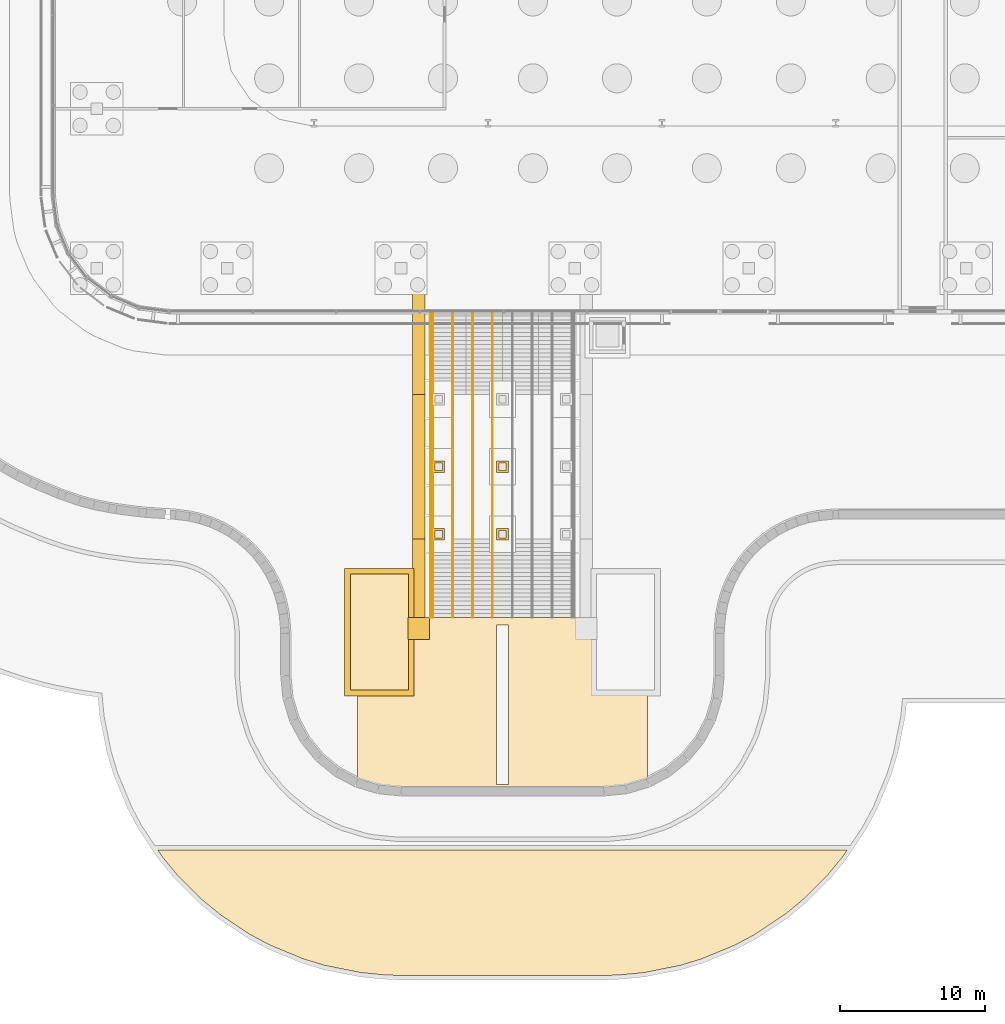
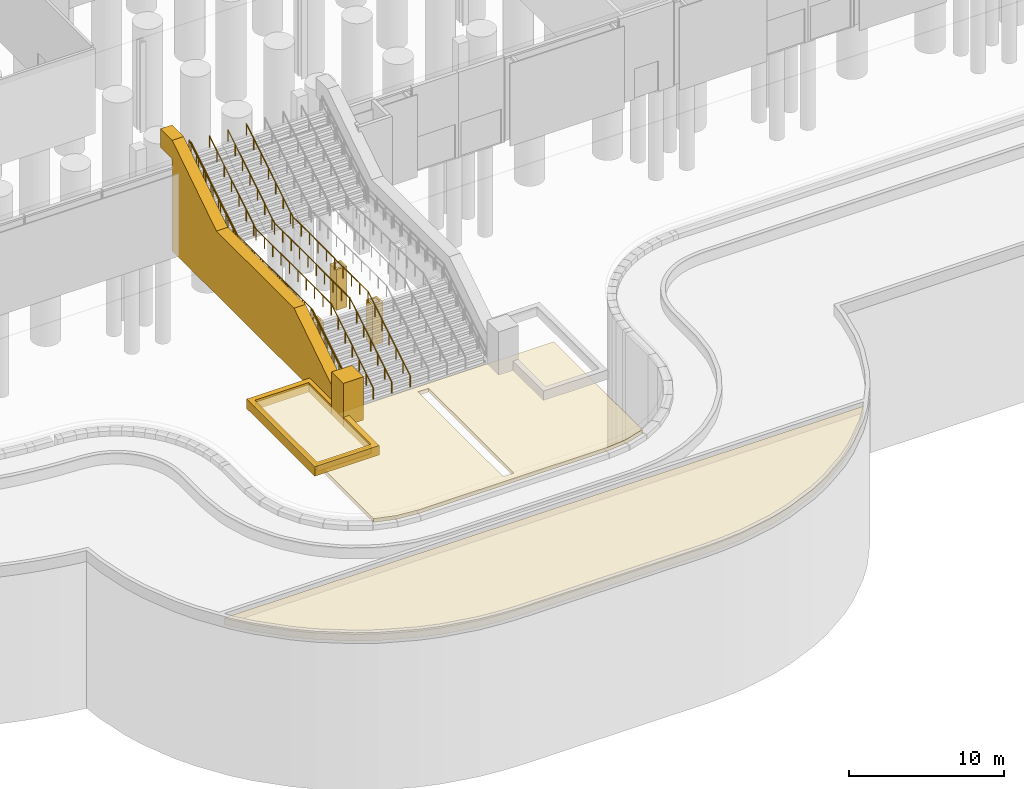
# One storey, part 36 of 48: 10 coverings, 5 railings, 1 element without a shape of its own.
"""IFC4 building model written with IfcOpenShell, lengths in metres."""

from ifc_helpers import new_model, si_unit, direction, frame, origin, origin_2d, place, context, subcontext, project, spatial, polyline, rectangle, circle, outline, extrude, material, layer, layer_set, type_object, element, aggregate, save


model = new_model("IFC4")

# Units and contexts
model_context = context("Model", 3, precision=1e-05, world=origin(), true_north=direction((0.0, 1.0)))
body_context = subcontext(model_context, "Body", "Model", "MODEL_VIEW")
ifc_project = project(units=[si_unit("LENGTHUNIT", "METRE"), si_unit("AREAUNIT", "SQUARE_METRE"), si_unit("VOLUMEUNIT", "CUBIC_METRE"), si_unit("PLANEANGLEUNIT", "RADIAN"), si_unit("MASSUNIT", "GRAM", prefix="KILO")], contexts=[model_context])

# Site, building, storey
site_placement = place(None, origin())
site = spatial("IfcSite", under=ifc_project, at=site_placement, CompositionType="ELEMENT")
building_placement = place(site_placement, origin())
building = spatial("IfcBuilding", under=site, at=building_placement, Name="Mahtab Terrace Research Tower", CompositionType="ELEMENT")
storey_placement = place(building_placement, origin())
storey = spatial("IfcBuildingStorey", under=building, at=storey_placement, Name="G", CompositionType="ELEMENT", Elevation=0.0)

# Coverings
ifc_material_1 = material(Name="Glazed ceramic tile cladding", Category="masonry")
ifc_layer_1 = layer(ifc_material_1, 0.14990234375)
ifc_layer_set_1 = layer_set([ifc_layer_1], Name="Column sleeve cladding 150")
covering_type_1 = type_object("IfcCoveringType", Name="Column sleeve cladding 150", PredefinedType="CLADDING", material=ifc_layer_set_1)
covering_1_placement = place(storey_placement, origin())
element("IfcCovering", 1, at=covering_1_placement, inside=storey, type_object=covering_type_1, Name="Column sleeve PS1-1-1", PredefinedType="CLADDING", context=body_context, shape_type="SweptSolid", body=[
    extrude(outline(polyline([(-33.800048828125, -51.75), (-33.0, -51.75), (-33.0, -50.949951171875), (-33.800048828125, -50.949951171875), (-33.800048828125, -51.75)]), holes=[polyline([(-33.64990234375, -51.60009765625), (-33.14990234375, -51.60009765625), (-33.14990234375, -51.10009765625), (-33.64990234375, -51.10009765625), (-33.64990234375, -51.60009765625)])]), origin(), (0.0, 0.0, 1.0), 3.2119140625),
])
covering_2_placement = place(storey_placement, origin())
element("IfcCovering", 2, at=covering_2_placement, inside=storey, type_object=covering_type_1, Name="Column sleeve PS1-1-2", PredefinedType="CLADDING", context=body_context, shape_type="SweptSolid", body=[
    extrude(outline(polyline([(-33.800048828125, -47.10009765625), (-33.0, -47.10009765625), (-33.0, -46.300048828125), (-33.800048828125, -46.300048828125), (-33.800048828125, -47.10009765625)]), holes=[polyline([(-33.64990234375, -46.949951171875), (-33.14990234375, -46.949951171875), (-33.14990234375, -46.449951171875), (-33.64990234375, -46.449951171875), (-33.64990234375, -46.949951171875)])]), origin(), (0.0, 0.0, 1.0), 3.2119140625),
])
covering_3_placement = place(storey_placement, origin())
element("IfcCovering", 3, at=covering_3_placement, inside=storey, type_object=covering_type_1, Name="Column sleeve PS1-2-1", PredefinedType="CLADDING", context=body_context, shape_type="SweptSolid", body=[
    extrude(outline(polyline([(-29.39990234375, -51.75), (-28.60009765625, -51.75), (-28.60009765625, -50.949951171875), (-29.39990234375, -50.949951171875), (-29.39990234375, -51.75)]), holes=[polyline([(-29.25, -51.60009765625), (-28.75, -51.60009765625), (-28.75, -51.10009765625), (-29.25, -51.10009765625), (-29.25, -51.60009765625)])]), origin(), (0.0, 0.0, 1.0), 3.2119140625),
])
covering_4_placement = place(storey_placement, origin())
element("IfcCovering", 4, at=covering_4_placement, inside=storey, type_object=covering_type_1, Name="Column sleeve PS1-2-2", PredefinedType="CLADDING", context=body_context, shape_type="SweptSolid", body=[
    extrude(outline(polyline([(-29.39990234375, -47.10009765625), (-28.60009765625, -47.10009765625), (-28.60009765625, -46.300048828125), (-29.39990234375, -46.300048828125), (-29.39990234375, -47.10009765625)]), holes=[polyline([(-29.25, -46.949951171875), (-28.75, -46.949951171875), (-28.75, -46.449951171875), (-29.25, -46.449951171875), (-29.25, -46.949951171875)])]), origin(), (0.0, 0.0, 1.0), 3.2119140625),
])
ifc_material_2 = material(Name="Planting soil and shrubs")
ifc_layer_2 = layer(ifc_material_2, 0.1201171875)
ifc_layer_set_2 = layer_set([ifc_layer_2], Name="Planter")
covering_type_2 = type_object("IfcCoveringType", Name="Planter", PredefinedType="USERDEFINED", material=ifc_layer_set_2)
covering_5_placement = place(storey_placement, frame((-37.5, -58.114990234375, -0.010009765625), z_axis=(0.0, 0.0, 1.0), x_axis=(1.0, 0.0, 0.0)))
element("IfcCovering", 5, at=covering_5_placement, inside=storey, type_object=covering_type_2, Name="PLANTER forecourt", ObjectType="PLANTER", PredefinedType="USERDEFINED", context=body_context, shape_type="SweptSolid", body=[
    extrude(rectangle(XDim=4.0, YDim=8.0, at=origin_2d()), origin(), (0.0, 0.0, 1.0), 0.60009765625),
])
ifc_material_3 = material(Name="Precast concrete C40/50", Category="concrete")
ifc_layer_3 = layer(ifc_material_3, 0.199951171875)
ifc_layer_set_3 = layer_set([ifc_layer_3], Name="Precast coping 400")
covering_type_3 = type_object("IfcCoveringType", Name="Precast coping 400", PredefinedType="MOLDING", material=ifc_layer_set_3)
covering_6_placement = place(storey_placement, frame((0.0, 0.0, -0.010009765625)))
element("IfcCovering", 6, at=covering_6_placement, inside=storey, type_object=covering_type_3, Name="Planter bed coping", PredefinedType="CLADDING", context=body_context, shape_type="SweptSolid", body=[
    extrude(outline(polyline([(-39.89990234375, -62.514892578125), (-39.89990234375, -53.715087890625), (-35.10009765625, -53.715087890625), (-35.10009765625, -62.514892578125), (-39.89990234375, -62.514892578125)]), holes=[polyline([(-35.5, -54.114990234375), (-39.5, -54.114990234375), (-39.5, -62.114990234375), (-35.5, -62.114990234375), (-35.5, -54.114990234375)])]), origin(), (0.0, 0.0, 1.0), 0.75),
])
ifc_material_4 = material(Name="Sandstone paving", Category="masonry")
ifc_layer_4 = layer(ifc_material_4, 0.300048828125)
ifc_layer_set_4 = layer_set([ifc_layer_4], Name="Sandstone forecourt paving 300")
covering_type_4 = type_object("IfcCoveringType", Name="Sandstone forecourt paving 300", PredefinedType="FLOORING", material=ifc_layer_set_4)
covering_7_placement = place(storey_placement, frame((0.0, 0.0, -0.31005859375)))
element("IfcCovering", 7, at=covering_7_placement, inside=storey, type_object=covering_type_4, Name="Stair forecourt paving 1.1", PredefinedType="FLOORING", context=body_context, shape_type="SweptSolid", body=[
    extrude(outline(polyline([(-19.0, -57.114990234375), (-19.0, -68.52490234375), (-20.43896484375, -68.9609375), (-22.0, -69.114990234375), (-36.0, -69.114990234375), (-37.56103515625, -68.9609375), (-39.0, -68.52490234375), (-39.0, -57.114990234375), (-19.0, -57.114990234375)]), holes=[polyline([(-28.60009765625, -57.614990234375), (-29.39990234375, -57.614990234375), (-29.39990234375, -68.614990234375), (-28.60009765625, -68.614990234375), (-28.60009765625, -57.614990234375)])]), origin(), (0.0, 0.0, 1.0), 0.300048828125),
])
ifc_layer_5 = layer(ifc_material_1, 0.85009765625)
ifc_layer_set_5 = layer_set([ifc_layer_5], Name="Stair cheek cladding 850")
covering_type_5 = type_object("IfcCoveringType", Name="Stair cheek cladding 850", PredefinedType="CLADDING", material=ifc_layer_set_5)
covering_8_placement = place(storey_placement, frame((-34.35009765625, -36.0, 0.0), z_axis=(1.0, 0.0, 0.0), x_axis=(0.0, 0.0, 1.0)))
element("IfcCovering", 8, at=covering_8_placement, inside=storey, type_object=covering_type_5, Name="Stair cheek PS1W", PredefinedType="CLADDING", context=body_context, shape_type="SweptSolid", body=[
    extrude(outline(polyline([(0.0, 0.0), (7.22998046875, 0.0), (7.22998046875, -1.5), (8.699951171875, -1.5), (8.699951171875, 0.0), (5.011962890625, 5.699951171875), (5.011962890625, 15.699951171875), (1.5, 21.114990234375), (0.0, 21.114990234375), (0.0, 0.0)])), origin(), (0.0, 0.0, -1.0), 0.85009765625),
])
covering_9_placement = place(storey_placement, frame((-34.77490234375, -57.864990234375, 0.0), z_axis=(0.0, 0.0, 1.0), x_axis=(1.0, 0.0, 0.0)))
element("IfcCovering", 9, at=covering_9_placement, inside=storey, type_object=covering_type_5, Name="Stair foot pier PS1W", PredefinedType="CLADDING", context=body_context, shape_type="SweptSolid", body=[
    extrude(rectangle(XDim=1.5, YDim=1.5, at=origin_2d()), origin(), (0.0, 0.0, 1.0), 3.39990234375),
])

# Stair, railings
ifc_material_5 = material(Name="Public deck stair")
stair_type = type_object("IfcStairType", Name="Public deck stair", PredefinedType="STRAIGHT_RUN_STAIR", material=ifc_material_5)
stair_placement = place(storey_placement, origin())
stair = element("IfcStair", 10, at=stair_placement, inside=storey, type_object=stair_type, Name="Public deck stair PS1", PredefinedType="STRAIGHT_RUN_STAIR")
ifc_material_6 = material(Name="Stainless steel AISI 304", Category="steel")
railing_type_1 = type_object("IfcRailingType", Name="Stair guard 1100", PredefinedType="GUARDRAIL", material=ifc_material_6)
railing_1_placement = place(storey_placement, frame((-33.949951171875, -57.114990234375, 0.175537109375)))
railing_1 = element("IfcRailing", 11, at=railing_1_placement, type_object=railing_type_1, Name="PS1 stair guard 1", PredefinedType="GUARDRAIL", context=body_context, shape_type="SweptSolid", body=[
    extrude(circle(Radius=0.02392578125, at=origin_2d()), frame((0.0, 0.0, 1.076171875), z_axis=(0.0, 0.851353738044, 0.524592044087), x_axis=(-1.0, 0.0, 0.0)), (0.0, 0.0, 1.0), 6.360595703125),
    extrude(circle(Radius=0.02392578125, at=origin_2d()), frame((0.0, 5.4150390625, 4.41259765625), z_axis=(0.0, 1.0, 0.0), x_axis=(-1.0, 0.0, 0.0)), (0.0, 0.0, 1.0), 9.699951171875),
    extrude(circle(Radius=0.02392578125, at=origin_2d()), frame((0.0, 15.114990234375, 4.41259765625), z_axis=(0.0, 0.863141399684, 0.504962299734), x_axis=(-1.0, 0.0, 0.0)), (0.0, 0.0, 1.0), 0.34765625),
    extrude(circle(Radius=0.02392578125, at=origin_2d()), frame((0.0, 15.4150390625, 4.58837890625), z_axis=(0.0, 0.851355183799, 0.524589697782), x_axis=(-1.0, 0.0, 0.0)), (0.0, 0.0, 1.0), 6.695068359375),
    extrude(circle(Radius=0.02099609375, at=origin_2d()), origin(), (0.0, 0.0, 1.0), 1.052001953125),
    extrude(circle(Radius=0.02099609375, at=origin_2d()), frame((0.0, 0.902587890625, 0.55615234375)), (0.0, 0.0, 1.0), 1.052001953125),
    extrude(circle(Radius=0.02099609375, at=origin_2d()), frame((0.0, 1.804931640625, 1.1123046875)), (0.0, 0.0, 1.0), 1.052001953125),
    extrude(circle(Radius=0.02099609375, at=origin_2d()), frame((0.0, 2.70751953125, 1.66845703125)), (0.0, 0.0, 1.0), 1.052001953125),
    extrude(circle(Radius=0.02099609375, at=origin_2d()), frame((0.0, 3.610107421875, 2.224365234375)), (0.0, 0.0, 1.0), 1.052001953125),
    extrude(circle(Radius=0.02099609375, at=origin_2d()), frame((0.0, 4.512451171875, 2.780517578125)), (0.0, 0.0, 1.0), 1.052001953125),
    extrude(circle(Radius=0.02099609375, at=origin_2d()), frame((0.0, 5.4150390625, 3.336669921875)), (0.0, 0.0, 1.0), 1.052001953125),
    extrude(circle(Radius=0.02099609375, at=origin_2d()), frame((0.0, 6.492919921875, 3.336669921875)), (0.0, 0.0, 1.0), 1.052001953125),
    extrude(circle(Radius=0.02099609375, at=origin_2d()), frame((0.0, 7.570556640625, 3.336669921875)), (0.0, 0.0, 1.0), 1.052001953125),
    extrude(circle(Radius=0.02099609375, at=origin_2d()), frame((0.0, 8.6484375, 3.336669921875)), (0.0, 0.0, 1.0), 1.052001953125),
    extrude(circle(Radius=0.02099609375, at=origin_2d()), frame((0.0, 9.72607421875, 3.336669921875)), (0.0, 0.0, 1.0), 1.052001953125),
    extrude(circle(Radius=0.02099609375, at=origin_2d()), frame((0.0, 10.803955078125, 3.336669921875)), (0.0, 0.0, 1.0), 1.052001953125),
    extrude(circle(Radius=0.02099609375, at=origin_2d()), frame((0.0, 11.881591796875, 3.336669921875)), (0.0, 0.0, 1.0), 1.052001953125),
    extrude(circle(Radius=0.02099609375, at=origin_2d()), frame((0.0, 12.95947265625, 3.336669921875)), (0.0, 0.0, 1.0), 1.052001953125),
    extrude(circle(Radius=0.02099609375, at=origin_2d()), frame((0.0, 14.037109375, 3.336669921875)), (0.0, 0.0, 1.0), 1.052001953125),
    extrude(circle(Radius=0.02099609375, at=origin_2d()), frame((0.0, 15.114990234375, 3.336669921875)), (0.0, 0.0, 1.0), 1.052001953125),
    extrude(circle(Radius=0.02099609375, at=origin_2d()), frame((0.0, 15.4150390625, 3.51220703125)), (0.0, 0.0, 1.0), 1.052001953125),
    extrude(circle(Radius=0.02099609375, at=origin_2d()), frame((0.0, 16.364990234375, 4.09765625)), (0.0, 0.0, 1.0), 1.052001953125),
    extrude(circle(Radius=0.02099609375, at=origin_2d()), frame((0.0, 17.31494140625, 4.682861328125)), (0.0, 0.0, 1.0), 1.052001953125),
    extrude(circle(Radius=0.02099609375, at=origin_2d()), frame((0.0, 18.26513671875, 5.268310546875)), (0.0, 0.0, 1.0), 1.052001953125),
    extrude(circle(Radius=0.02099609375, at=origin_2d()), frame((0.0, 19.215087890625, 5.853759765625)), (0.0, 0.0, 1.0), 1.052001953125),
    extrude(circle(Radius=0.02099609375, at=origin_2d()), frame((0.0, 20.1650390625, 6.43896484375)), (0.0, 0.0, 1.0), 1.052001953125),
    extrude(circle(Radius=0.02099609375, at=origin_2d()), frame((0.0, 21.114990234375, 7.0244140625)), (0.0, 0.0, 1.0), 1.052001953125),
])
railing_type_2 = type_object("IfcRailingType", Name="Stair handrail 900", PredefinedType="HANDRAIL", material=ifc_material_6)
railing_2_placement = place(storey_placement, frame((-33.800048828125, -57.114990234375, 0.175537109375)))
railing_2 = element("IfcRailing", 12, at=railing_2_placement, type_object=railing_type_2, Name="PS1 stair handrail 3", PredefinedType="HANDRAIL", context=body_context, shape_type="SweptSolid", body=[
    extrude(circle(Radius=0.02392578125, at=origin_2d()), frame((0.0, 0.0, 0.8759765625), z_axis=(0.0, 0.851353738044, 0.524592044087), x_axis=(-1.0, 0.0, 0.0)), (0.0, 0.0, 1.0), 6.360595703125),
    extrude(circle(Radius=0.02392578125, at=origin_2d()), frame((0.0, 5.4150390625, 4.21240234375), z_axis=(0.0, 1.0, 0.0), x_axis=(-1.0, 0.0, 0.0)), (0.0, 0.0, 1.0), 9.699951171875),
    extrude(circle(Radius=0.02392578125, at=origin_2d()), frame((0.0, 15.114990234375, 4.21240234375), z_axis=(0.0, 0.863141399684, 0.504962299734), x_axis=(-1.0, 0.0, 0.0)), (0.0, 0.0, 1.0), 0.34765625),
    extrude(circle(Radius=0.02392578125, at=origin_2d()), frame((0.0, 15.4150390625, 4.38818359375), z_axis=(0.0, 0.851355183799, 0.524589697782), x_axis=(-1.0, 0.0, 0.0)), (0.0, 0.0, 1.0), 6.695068359375),
    extrude(circle(Radius=0.02099609375, at=origin_2d()), origin(), (0.0, 0.0, 1.0), 0.851806640625),
    extrude(circle(Radius=0.02099609375, at=origin_2d()), frame((0.0, 0.902587890625, 0.55615234375)), (0.0, 0.0, 1.0), 0.851806640625),
    extrude(circle(Radius=0.02099609375, at=origin_2d()), frame((0.0, 1.804931640625, 1.1123046875)), (0.0, 0.0, 1.0), 0.851806640625),
    extrude(circle(Radius=0.02099609375, at=origin_2d()), frame((0.0, 2.70751953125, 1.66845703125)), (0.0, 0.0, 1.0), 0.851806640625),
    extrude(circle(Radius=0.02099609375, at=origin_2d()), frame((0.0, 3.610107421875, 2.224365234375)), (0.0, 0.0, 1.0), 0.851806640625),
    extrude(circle(Radius=0.02099609375, at=origin_2d()), frame((0.0, 4.512451171875, 2.780517578125)), (0.0, 0.0, 1.0), 0.851806640625),
    extrude(circle(Radius=0.02099609375, at=origin_2d()), frame((0.0, 5.4150390625, 3.336669921875)), (0.0, 0.0, 1.0), 0.851806640625),
    extrude(circle(Radius=0.02099609375, at=origin_2d()), frame((0.0, 6.492919921875, 3.336669921875)), (0.0, 0.0, 1.0), 0.851806640625),
    extrude(circle(Radius=0.02099609375, at=origin_2d()), frame((0.0, 7.570556640625, 3.336669921875)), (0.0, 0.0, 1.0), 0.851806640625),
    extrude(circle(Radius=0.02099609375, at=origin_2d()), frame((0.0, 8.6484375, 3.336669921875)), (0.0, 0.0, 1.0), 0.851806640625),
    extrude(circle(Radius=0.02099609375, at=origin_2d()), frame((0.0, 9.72607421875, 3.336669921875)), (0.0, 0.0, 1.0), 0.851806640625),
    extrude(circle(Radius=0.02099609375, at=origin_2d()), frame((0.0, 10.803955078125, 3.336669921875)), (0.0, 0.0, 1.0), 0.851806640625),
    extrude(circle(Radius=0.02099609375, at=origin_2d()), frame((0.0, 11.881591796875, 3.336669921875)), (0.0, 0.0, 1.0), 0.851806640625),
    extrude(circle(Radius=0.02099609375, at=origin_2d()), frame((0.0, 12.95947265625, 3.336669921875)), (0.0, 0.0, 1.0), 0.851806640625),
    extrude(circle(Radius=0.02099609375, at=origin_2d()), frame((0.0, 14.037109375, 3.336669921875)), (0.0, 0.0, 1.0), 0.851806640625),
    extrude(circle(Radius=0.02099609375, at=origin_2d()), frame((0.0, 15.114990234375, 3.336669921875)), (0.0, 0.0, 1.0), 0.851806640625),
    extrude(circle(Radius=0.02099609375, at=origin_2d()), frame((0.0, 15.4150390625, 3.51220703125)), (0.0, 0.0, 1.0), 0.851806640625),
    extrude(circle(Radius=0.02099609375, at=origin_2d()), frame((0.0, 16.364990234375, 4.09765625)), (0.0, 0.0, 1.0), 0.851806640625),
    extrude(circle(Radius=0.02099609375, at=origin_2d()), frame((0.0, 17.31494140625, 4.682861328125)), (0.0, 0.0, 1.0), 0.851806640625),
    extrude(circle(Radius=0.02099609375, at=origin_2d()), frame((0.0, 18.26513671875, 5.268310546875)), (0.0, 0.0, 1.0), 0.851806640625),
    extrude(circle(Radius=0.02099609375, at=origin_2d()), frame((0.0, 19.215087890625, 5.853759765625)), (0.0, 0.0, 1.0), 0.851806640625),
    extrude(circle(Radius=0.02099609375, at=origin_2d()), frame((0.0, 20.1650390625, 6.43896484375)), (0.0, 0.0, 1.0), 0.851806640625),
    extrude(circle(Radius=0.02099609375, at=origin_2d()), frame((0.0, 21.114990234375, 7.0244140625)), (0.0, 0.0, 1.0), 0.851806640625),
])
railing_3_placement = place(storey_placement, frame((-32.4287109375, -57.114990234375, 0.175537109375)))
railing_3 = element("IfcRailing", 13, at=railing_3_placement, type_object=railing_type_2, Name="PS1 stair handrail 4", PredefinedType="HANDRAIL", context=body_context, shape_type="SweptSolid", body=[
    extrude(circle(Radius=0.02392578125, at=origin_2d()), frame((0.0, 0.0, 0.8759765625), z_axis=(0.0, 0.851353738044, 0.524592044087), x_axis=(-1.0, 0.0, 0.0)), (0.0, 0.0, 1.0), 6.360595703125),
    extrude(circle(Radius=0.02392578125, at=origin_2d()), frame((0.0, 5.4150390625, 4.21240234375), z_axis=(0.0, 1.0, 0.0), x_axis=(-1.0, 0.0, 0.0)), (0.0, 0.0, 1.0), 9.699951171875),
    extrude(circle(Radius=0.02392578125, at=origin_2d()), frame((0.0, 15.114990234375, 4.21240234375), z_axis=(0.0, 0.863141399684, 0.504962299734), x_axis=(-1.0, 0.0, 0.0)), (0.0, 0.0, 1.0), 0.34765625),
    extrude(circle(Radius=0.02392578125, at=origin_2d()), frame((0.0, 15.4150390625, 4.38818359375), z_axis=(0.0, 0.851355183799, 0.524589697782), x_axis=(-1.0, 0.0, 0.0)), (0.0, 0.0, 1.0), 6.695068359375),
    extrude(circle(Radius=0.02099609375, at=origin_2d()), origin(), (0.0, 0.0, 1.0), 0.851806640625),
    extrude(circle(Radius=0.02099609375, at=origin_2d()), frame((0.0, 0.902587890625, 0.55615234375)), (0.0, 0.0, 1.0), 0.851806640625),
    extrude(circle(Radius=0.02099609375, at=origin_2d()), frame((0.0, 1.804931640625, 1.1123046875)), (0.0, 0.0, 1.0), 0.851806640625),
    extrude(circle(Radius=0.02099609375, at=origin_2d()), frame((0.0, 2.70751953125, 1.66845703125)), (0.0, 0.0, 1.0), 0.851806640625),
    extrude(circle(Radius=0.02099609375, at=origin_2d()), frame((0.0, 3.610107421875, 2.224365234375)), (0.0, 0.0, 1.0), 0.851806640625),
    extrude(circle(Radius=0.02099609375, at=origin_2d()), frame((0.0, 4.512451171875, 2.780517578125)), (0.0, 0.0, 1.0), 0.851806640625),
    extrude(circle(Radius=0.02099609375, at=origin_2d()), frame((0.0, 5.4150390625, 3.336669921875)), (0.0, 0.0, 1.0), 0.851806640625),
    extrude(circle(Radius=0.02099609375, at=origin_2d()), frame((0.0, 6.492919921875, 3.336669921875)), (0.0, 0.0, 1.0), 0.851806640625),
    extrude(circle(Radius=0.02099609375, at=origin_2d()), frame((0.0, 7.570556640625, 3.336669921875)), (0.0, 0.0, 1.0), 0.851806640625),
    extrude(circle(Radius=0.02099609375, at=origin_2d()), frame((0.0, 8.6484375, 3.336669921875)), (0.0, 0.0, 1.0), 0.851806640625),
    extrude(circle(Radius=0.02099609375, at=origin_2d()), frame((0.0, 9.72607421875, 3.336669921875)), (0.0, 0.0, 1.0), 0.851806640625),
    extrude(circle(Radius=0.02099609375, at=origin_2d()), frame((0.0, 10.803955078125, 3.336669921875)), (0.0, 0.0, 1.0), 0.851806640625),
    extrude(circle(Radius=0.02099609375, at=origin_2d()), frame((0.0, 11.881591796875, 3.336669921875)), (0.0, 0.0, 1.0), 0.851806640625),
    extrude(circle(Radius=0.02099609375, at=origin_2d()), frame((0.0, 12.95947265625, 3.336669921875)), (0.0, 0.0, 1.0), 0.851806640625),
    extrude(circle(Radius=0.02099609375, at=origin_2d()), frame((0.0, 14.037109375, 3.336669921875)), (0.0, 0.0, 1.0), 0.851806640625),
    extrude(circle(Radius=0.02099609375, at=origin_2d()), frame((0.0, 15.114990234375, 3.336669921875)), (0.0, 0.0, 1.0), 0.851806640625),
    extrude(circle(Radius=0.02099609375, at=origin_2d()), frame((0.0, 15.4150390625, 3.51220703125)), (0.0, 0.0, 1.0), 0.851806640625),
    extrude(circle(Radius=0.02099609375, at=origin_2d()), frame((0.0, 16.364990234375, 4.09765625)), (0.0, 0.0, 1.0), 0.851806640625),
    extrude(circle(Radius=0.02099609375, at=origin_2d()), frame((0.0, 17.31494140625, 4.682861328125)), (0.0, 0.0, 1.0), 0.851806640625),
    extrude(circle(Radius=0.02099609375, at=origin_2d()), frame((0.0, 18.26513671875, 5.268310546875)), (0.0, 0.0, 1.0), 0.851806640625),
    extrude(circle(Radius=0.02099609375, at=origin_2d()), frame((0.0, 19.215087890625, 5.853759765625)), (0.0, 0.0, 1.0), 0.851806640625),
    extrude(circle(Radius=0.02099609375, at=origin_2d()), frame((0.0, 20.1650390625, 6.43896484375)), (0.0, 0.0, 1.0), 0.851806640625),
    extrude(circle(Radius=0.02099609375, at=origin_2d()), frame((0.0, 21.114990234375, 7.0244140625)), (0.0, 0.0, 1.0), 0.851806640625),
])
railing_4_placement = place(storey_placement, frame((-31.05712890625, -57.114990234375, 0.175537109375)))
railing_4 = element("IfcRailing", 14, at=railing_4_placement, type_object=railing_type_2, Name="PS1 stair handrail 5", PredefinedType="HANDRAIL", context=body_context, shape_type="SweptSolid", body=[
    extrude(circle(Radius=0.02392578125, at=origin_2d()), frame((0.0, 0.0, 0.8759765625), z_axis=(0.0, 0.851353738044, 0.524592044087), x_axis=(-1.0, 0.0, 0.0)), (0.0, 0.0, 1.0), 6.360595703125),
    extrude(circle(Radius=0.02392578125, at=origin_2d()), frame((0.0, 5.4150390625, 4.21240234375), z_axis=(0.0, 1.0, 0.0), x_axis=(-1.0, 0.0, 0.0)), (0.0, 0.0, 1.0), 9.699951171875),
    extrude(circle(Radius=0.02392578125, at=origin_2d()), frame((0.0, 15.114990234375, 4.21240234375), z_axis=(0.0, 0.863141399684, 0.504962299734), x_axis=(-1.0, 0.0, 0.0)), (0.0, 0.0, 1.0), 0.34765625),
    extrude(circle(Radius=0.02392578125, at=origin_2d()), frame((0.0, 15.4150390625, 4.38818359375), z_axis=(0.0, 0.851355183799, 0.524589697782), x_axis=(-1.0, 0.0, 0.0)), (0.0, 0.0, 1.0), 6.695068359375),
    extrude(circle(Radius=0.02099609375, at=origin_2d()), origin(), (0.0, 0.0, 1.0), 0.851806640625),
    extrude(circle(Radius=0.02099609375, at=origin_2d()), frame((0.0, 0.902587890625, 0.55615234375)), (0.0, 0.0, 1.0), 0.851806640625),
    extrude(circle(Radius=0.02099609375, at=origin_2d()), frame((0.0, 1.804931640625, 1.1123046875)), (0.0, 0.0, 1.0), 0.851806640625),
    extrude(circle(Radius=0.02099609375, at=origin_2d()), frame((0.0, 2.70751953125, 1.66845703125)), (0.0, 0.0, 1.0), 0.851806640625),
    extrude(circle(Radius=0.02099609375, at=origin_2d()), frame((0.0, 3.610107421875, 2.224365234375)), (0.0, 0.0, 1.0), 0.851806640625),
    extrude(circle(Radius=0.02099609375, at=origin_2d()), frame((0.0, 4.512451171875, 2.780517578125)), (0.0, 0.0, 1.0), 0.851806640625),
    extrude(circle(Radius=0.02099609375, at=origin_2d()), frame((0.0, 5.4150390625, 3.336669921875)), (0.0, 0.0, 1.0), 0.851806640625),
    extrude(circle(Radius=0.02099609375, at=origin_2d()), frame((0.0, 6.492919921875, 3.336669921875)), (0.0, 0.0, 1.0), 0.851806640625),
    extrude(circle(Radius=0.02099609375, at=origin_2d()), frame((0.0, 7.570556640625, 3.336669921875)), (0.0, 0.0, 1.0), 0.851806640625),
    extrude(circle(Radius=0.02099609375, at=origin_2d()), frame((0.0, 8.6484375, 3.336669921875)), (0.0, 0.0, 1.0), 0.851806640625),
    extrude(circle(Radius=0.02099609375, at=origin_2d()), frame((0.0, 9.72607421875, 3.336669921875)), (0.0, 0.0, 1.0), 0.851806640625),
    extrude(circle(Radius=0.02099609375, at=origin_2d()), frame((0.0, 10.803955078125, 3.336669921875)), (0.0, 0.0, 1.0), 0.851806640625),
    extrude(circle(Radius=0.02099609375, at=origin_2d()), frame((0.0, 11.881591796875, 3.336669921875)), (0.0, 0.0, 1.0), 0.851806640625),
    extrude(circle(Radius=0.02099609375, at=origin_2d()), frame((0.0, 12.95947265625, 3.336669921875)), (0.0, 0.0, 1.0), 0.851806640625),
    extrude(circle(Radius=0.02099609375, at=origin_2d()), frame((0.0, 14.037109375, 3.336669921875)), (0.0, 0.0, 1.0), 0.851806640625),
    extrude(circle(Radius=0.02099609375, at=origin_2d()), frame((0.0, 15.114990234375, 3.336669921875)), (0.0, 0.0, 1.0), 0.851806640625),
    extrude(circle(Radius=0.02099609375, at=origin_2d()), frame((0.0, 15.4150390625, 3.51220703125)), (0.0, 0.0, 1.0), 0.851806640625),
    extrude(circle(Radius=0.02099609375, at=origin_2d()), frame((0.0, 16.364990234375, 4.09765625)), (0.0, 0.0, 1.0), 0.851806640625),
    extrude(circle(Radius=0.02099609375, at=origin_2d()), frame((0.0, 17.31494140625, 4.682861328125)), (0.0, 0.0, 1.0), 0.851806640625),
    extrude(circle(Radius=0.02099609375, at=origin_2d()), frame((0.0, 18.26513671875, 5.268310546875)), (0.0, 0.0, 1.0), 0.851806640625),
    extrude(circle(Radius=0.02099609375, at=origin_2d()), frame((0.0, 19.215087890625, 5.853759765625)), (0.0, 0.0, 1.0), 0.851806640625),
    extrude(circle(Radius=0.02099609375, at=origin_2d()), frame((0.0, 20.1650390625, 6.43896484375)), (0.0, 0.0, 1.0), 0.851806640625),
    extrude(circle(Radius=0.02099609375, at=origin_2d()), frame((0.0, 21.114990234375, 7.0244140625)), (0.0, 0.0, 1.0), 0.851806640625),
])
railing_5_placement = place(storey_placement, frame((-29.685791015625, -57.114990234375, 0.175537109375)))
railing_5 = element("IfcRailing", 15, at=railing_5_placement, type_object=railing_type_2, Name="PS1 stair handrail 6", PredefinedType="HANDRAIL", context=body_context, shape_type="SweptSolid", body=[
    extrude(circle(Radius=0.02392578125, at=origin_2d()), frame((0.0, 0.0, 0.8759765625), z_axis=(0.0, 0.851353738044, 0.524592044087), x_axis=(-1.0, 0.0, 0.0)), (0.0, 0.0, 1.0), 6.360595703125),
    extrude(circle(Radius=0.02392578125, at=origin_2d()), frame((0.0, 5.4150390625, 4.21240234375), z_axis=(0.0, 1.0, 0.0), x_axis=(-1.0, 0.0, 0.0)), (0.0, 0.0, 1.0), 9.699951171875),
    extrude(circle(Radius=0.02392578125, at=origin_2d()), frame((0.0, 15.114990234375, 4.21240234375), z_axis=(0.0, 0.863141399684, 0.504962299734), x_axis=(-1.0, 0.0, 0.0)), (0.0, 0.0, 1.0), 0.34765625),
    extrude(circle(Radius=0.02392578125, at=origin_2d()), frame((0.0, 15.4150390625, 4.38818359375), z_axis=(0.0, 0.851355183799, 0.524589697782), x_axis=(-1.0, 0.0, 0.0)), (0.0, 0.0, 1.0), 6.695068359375),
    extrude(circle(Radius=0.02099609375, at=origin_2d()), origin(), (0.0, 0.0, 1.0), 0.851806640625),
    extrude(circle(Radius=0.02099609375, at=origin_2d()), frame((0.0, 0.902587890625, 0.55615234375)), (0.0, 0.0, 1.0), 0.851806640625),
    extrude(circle(Radius=0.02099609375, at=origin_2d()), frame((0.0, 1.804931640625, 1.1123046875)), (0.0, 0.0, 1.0), 0.851806640625),
    extrude(circle(Radius=0.02099609375, at=origin_2d()), frame((0.0, 2.70751953125, 1.66845703125)), (0.0, 0.0, 1.0), 0.851806640625),
    extrude(circle(Radius=0.02099609375, at=origin_2d()), frame((0.0, 3.610107421875, 2.224365234375)), (0.0, 0.0, 1.0), 0.851806640625),
    extrude(circle(Radius=0.02099609375, at=origin_2d()), frame((0.0, 4.512451171875, 2.780517578125)), (0.0, 0.0, 1.0), 0.851806640625),
    extrude(circle(Radius=0.02099609375, at=origin_2d()), frame((0.0, 5.4150390625, 3.336669921875)), (0.0, 0.0, 1.0), 0.851806640625),
    extrude(circle(Radius=0.02099609375, at=origin_2d()), frame((0.0, 6.492919921875, 3.336669921875)), (0.0, 0.0, 1.0), 0.851806640625),
    extrude(circle(Radius=0.02099609375, at=origin_2d()), frame((0.0, 7.570556640625, 3.336669921875)), (0.0, 0.0, 1.0), 0.851806640625),
    extrude(circle(Radius=0.02099609375, at=origin_2d()), frame((0.0, 8.6484375, 3.336669921875)), (0.0, 0.0, 1.0), 0.851806640625),
    extrude(circle(Radius=0.02099609375, at=origin_2d()), frame((0.0, 9.72607421875, 3.336669921875)), (0.0, 0.0, 1.0), 0.851806640625),
    extrude(circle(Radius=0.02099609375, at=origin_2d()), frame((0.0, 10.803955078125, 3.336669921875)), (0.0, 0.0, 1.0), 0.851806640625),
    extrude(circle(Radius=0.02099609375, at=origin_2d()), frame((0.0, 11.881591796875, 3.336669921875)), (0.0, 0.0, 1.0), 0.851806640625),
    extrude(circle(Radius=0.02099609375, at=origin_2d()), frame((0.0, 12.95947265625, 3.336669921875)), (0.0, 0.0, 1.0), 0.851806640625),
    extrude(circle(Radius=0.02099609375, at=origin_2d()), frame((0.0, 14.037109375, 3.336669921875)), (0.0, 0.0, 1.0), 0.851806640625),
    extrude(circle(Radius=0.02099609375, at=origin_2d()), frame((0.0, 15.114990234375, 3.336669921875)), (0.0, 0.0, 1.0), 0.851806640625),
    extrude(circle(Radius=0.02099609375, at=origin_2d()), frame((0.0, 15.4150390625, 3.51220703125)), (0.0, 0.0, 1.0), 0.851806640625),
    extrude(circle(Radius=0.02099609375, at=origin_2d()), frame((0.0, 16.364990234375, 4.09765625)), (0.0, 0.0, 1.0), 0.851806640625),
    extrude(circle(Radius=0.02099609375, at=origin_2d()), frame((0.0, 17.31494140625, 4.682861328125)), (0.0, 0.0, 1.0), 0.851806640625),
    extrude(circle(Radius=0.02099609375, at=origin_2d()), frame((0.0, 18.26513671875, 5.268310546875)), (0.0, 0.0, 1.0), 0.851806640625),
    extrude(circle(Radius=0.02099609375, at=origin_2d()), frame((0.0, 19.215087890625, 5.853759765625)), (0.0, 0.0, 1.0), 0.851806640625),
    extrude(circle(Radius=0.02099609375, at=origin_2d()), frame((0.0, 20.1650390625, 6.43896484375)), (0.0, 0.0, 1.0), 0.851806640625),
    extrude(circle(Radius=0.02099609375, at=origin_2d()), frame((0.0, 21.114990234375, 7.0244140625)), (0.0, 0.0, 1.0), 0.851806640625),
])
aggregate(stair, [railing_1, railing_2, railing_3, railing_4, railing_5])

# Covering
ifc_material_7 = material(Name="Bituminous surfacing")
ifc_layer_6 = layer(ifc_material_7, 0.52001953125)
ifc_layer_set_6 = layer_set([ifc_layer_6], Name="Street carriageway surfacing 520")
covering_type_6 = type_object("IfcCoveringType", Name="Street carriageway surfacing 520", PredefinedType="FLOORING", material=ifc_layer_set_6)
covering_10_placement = place(storey_placement, frame((0.0, 0.0, -0.699951171875)))
element("IfcCovering", 16, at=covering_10_placement, inside=storey, type_object=covering_type_6, Name="Street carriageway 1", PredefinedType="FLOORING", context=body_context, shape_type="SweptSolid", body=[
    extrude(outline(polyline([(-52.779052734375, -73.14990234375), (-5.220947265625, -73.14990234375), (-5.5400390625, -73.6279296875), (-6.51708984375, -74.81689453125), (-8.298095703125, -76.597900390625), (-9.487060546875, -77.574951171875), (-11.58203125, -78.97412109375), (-12.93896484375, -79.698974609375), (-15.26611328125, -80.6630859375), (-16.739013671875, -81.110107421875), (-19.208984375, -81.60205078125), (-20.748046875, -81.7529296875), (-22.007080078125, -81.81494140625), (-35.992919921875, -81.81494140625), (-37.251953125, -81.7529296875), (-38.791015625, -81.60205078125), (-41.260986328125, -81.110107421875), (-42.73388671875, -80.6630859375), (-45.06103515625, -79.698974609375), (-46.41796875, -78.97412109375), (-48.512939453125, -77.574951171875), (-49.701904296875, -76.597900390625), (-51.48291015625, -74.81689453125), (-52.4599609375, -73.6279296875), (-52.779052734375, -73.14990234375)])), origin(), (0.0, 0.0, 1.0), 0.52001953125),
])

save(model, "model.ifc")
